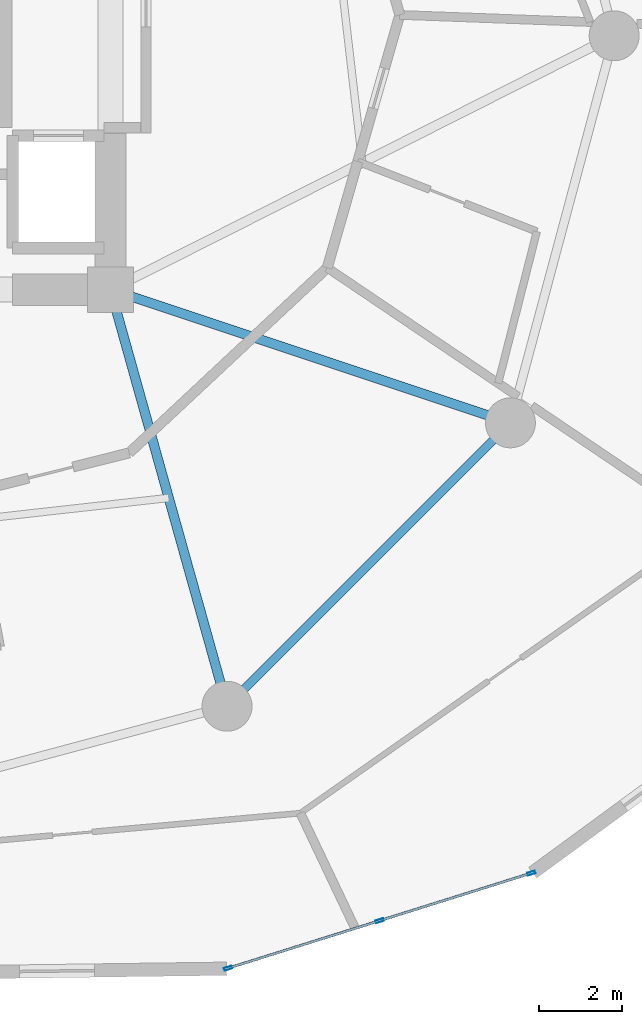
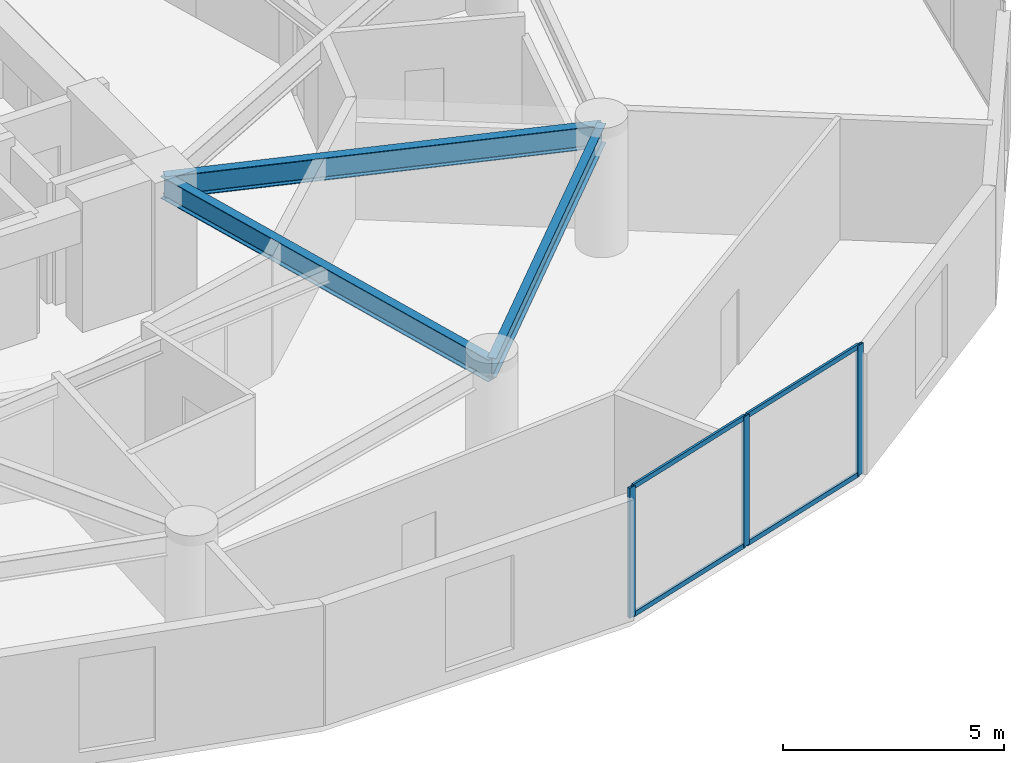
# One storey, part 6 of 22: 7 members, 3 beams, 1 element without a shape of its own.
"""IFC4 building model written with IfcOpenShell, lengths in metres."""

from ifc_helpers import new_model, si_unit, direction, frame, origin, origin_2d, place, context, subcontext, project, spatial, hollow_rectangle, i_section, extrude, source, transform, mapped, material, layer, layer_set, material_profile, profile_set, type_object, element, aggregate, save


model = new_model("IFC4")

# Units and contexts
model_context = context("Model", 3, precision=1e-05, world=origin(), true_north=direction((0.0, 1.0)))
body_context = subcontext(model_context, "Body", "Model", "MODEL_VIEW")
ifc_project = project(units=[si_unit("LENGTHUNIT", "METRE"), si_unit("AREAUNIT", "SQUARE_METRE"), si_unit("VOLUMEUNIT", "CUBIC_METRE"), si_unit("PLANEANGLEUNIT", "RADIAN"), si_unit("MASSUNIT", "GRAM", prefix="KILO")], contexts=[model_context])

# Site, building, storey
site_placement = place(None, origin())
site = spatial("IfcSite", under=ifc_project, at=site_placement, CompositionType="ELEMENT")
building_placement = place(site_placement, origin())
building = spatial("IfcBuilding", under=site, at=building_placement, Name="Solvirekh Grand Hotel", CompositionType="ELEMENT")
storey_placement = place(building_placement, frame((0.0, 0.0, 78.800048828125)))
storey = spatial("IfcBuildingStorey", under=building, at=storey_placement, Name="L19", CompositionType="ELEMENT", Elevation=78.800048828125)

# Beams
ifc_material_1 = material(Name="Steel S355", Category="steel")
ifc_material_profile_1 = material_profile(ifc_material_1, i_section(OverallWidth=0.22802734375, OverallDepth=0.616943359375, WebThickness=0.012939453125, FlangeThickness=0.02001953125, FilletRadius=0.014892578125, at=origin_2d()), Name="W610X140")
ifc_profile_set_1 = profile_set([ifc_material_profile_1], Name="Steel S355")
beam_type_1 = type_object("IfcBeamType", Name="Beam_Radial_W610", PredefinedType="BEAM", material=ifc_profile_set_1)
beam_1_placement = place(storey_placement, frame((6.5, -6.10009765625, 3.031982421875), z_axis=(0.269439084681, -0.963017434757, 0.0), x_axis=(0.963017434757, 0.269439084681, 0.0)))
element("IfcBeam", 1, at=beam_1_placement, inside=storey, type_object=beam_type_1, Name="L19 radial floor beam R11", PredefinedType="BEAM", context=body_context, shape_type="SweptSolid", body=[
    extrude(i_section(OverallWidth=0.22802734375, OverallDepth=0.616943359375, WebThickness=0.012939453125, FlangeThickness=0.02001953125, FilletRadius=0.014892578125, at=origin_2d()), origin(), (0.0, 0.0, 1.0), 10.39208984375),
])
beam_2_placement = place(storey_placement, frame((6.5, -6.10009765625, 3.031982421875), z_axis=(0.948762825819, -0.315989082635, 0.0), x_axis=(0.315989082635, 0.948762825819, 0.0)))
element("IfcBeam", 2, at=beam_2_placement, inside=storey, type_object=beam_type_1, Name="L19 radial floor beam R12", PredefinedType="BEAM", context=body_context, shape_type="SweptSolid", body=[
    extrude(i_section(OverallWidth=0.22802734375, OverallDepth=0.616943359375, WebThickness=0.012939453125, FlangeThickness=0.02001953125, FilletRadius=0.014892578125, at=origin_2d()), origin(), (0.0, 0.0, 1.0), 10.126708984375),
])
ifc_material_profile_2 = material_profile(ifc_material_1, i_section(OverallWidth=0.208984375, OverallDepth=0.532958984375, WebThickness=0.010009765625, FlangeThickness=0.014892578125, FilletRadius=0.013916015625, at=origin_2d()), Name="W530X92")
ifc_profile_set_2 = profile_set([ifc_material_profile_2], Name="Steel S355")
beam_type_2 = type_object("IfcBeamType", Name="Spandrel_Ring_W530", PredefinedType="SPANDREL", material=ifc_profile_set_2)
beam_3_placement = place(storey_placement, frame((9.300048828125, -16.10791015625, 3.073974609375), z_axis=(0.707106781187, 0.707106781187, 0.0), x_axis=(-0.707106781187, 0.707106781187, 0.0)))
element("IfcBeam", 3, at=beam_3_placement, inside=storey, type_object=beam_type_2, Name="L19 perimeter spandrel beam 11", PredefinedType="SPANDREL", context=body_context, shape_type="SweptSolid", body=[
    extrude(i_section(OverallWidth=0.208984375, OverallDepth=0.532958984375, WebThickness=0.010009765625, FlangeThickness=0.014892578125, FilletRadius=0.013916015625, at=origin_2d()), origin(), (0.0, 0.0, 1.0), 9.627685546875),
])

# Curtain wall, members
ifc_material_2 = material(Name="Anodized Bronze Aluminium 6063-T6", Category="aluminium")
ifc_layer = layer(ifc_material_2, 0.18994140625)
ifc_layer_set = layer_set([ifc_layer], Name="Anodized Bronze Aluminium 6063-T6")
curtain_wall_type = type_object("IfcCurtainWallType", Name="CW_Sys2_LowZoneFlushBronzeCW", PredefinedType="NOTDEFINED", material=ifc_layer_set)
curtain_wall_placement = place(storey_placement, origin())
curtain_wall = element("IfcCurtainWall", 4, at=curtain_wall_placement, inside=storey, type_object=curtain_wall_type, Name="L19 unitised bronze-glass curtain wall CW-L19-C18", PredefinedType="NOTDEFINED")
ifc_material_profile_3 = material_profile(ifc_material_2, hollow_rectangle(XDim=0.06005859375, YDim=0.135009765625, WallThickness=0.00390625, at=origin_2d()), Name="ALU RHS 135X60X4")
ifc_profile_set_3 = profile_set([ifc_material_profile_3], Name="Anodized Bronze Aluminium 6063-T6")
member_type_1 = type_object("IfcMemberType", Name="CWTransom_Sys2", PredefinedType="USERDEFINED", material=ifc_profile_set_3)
shared_shape_1 = source(origin(), body_context, "Body", "SweptSolid", [
    extrude(hollow_rectangle(XDim=0.06005859375, YDim=0.135009765625, WallThickness=0.00390625, at=origin_2d()), origin(), (0.0, 0.0, 1.0), 3.74755859375),
])
member_1_placement = place(storey_placement, frame((9.35791015625, -22.39306640625, 0.030029296875), z_axis=(0.954161809981, 0.299291230032, 0.0), x_axis=(-0.299291230032, 0.954161809981, 0.0)))
member_1 = element("IfcMember", 5, at=member_1_placement, type_object=member_type_1, Name="U02 transom 1.1", ObjectType="TRANSOM", PredefinedType="USERDEFINED", context=body_context, shape_type="MappedRepresentation", body=[
    mapped(shared_shape_1, transform((0.0, 0.0, 0.0), x_axis=(1.0, 0.0, 0.0), y_axis=(0.0, 1.0, 0.0), z_axis=(0.0, 0.0, 1.0), scale=1.0)),
])
member_2_placement = place(storey_placement, frame((9.35791015625, -22.39306640625, 3.570068359375), z_axis=(0.954161809981, 0.299291230032, 0.0), x_axis=(-0.299291230032, 0.954161809981, 0.0)))
member_2 = element("IfcMember", 6, at=member_2_placement, type_object=member_type_1, Name="U02 transom 1.2", ObjectType="TRANSOM", PredefinedType="USERDEFINED", context=body_context, shape_type="MappedRepresentation", body=[
    mapped(shared_shape_1, transform((0.0, 0.0, 0.0), x_axis=(1.0, 0.0, 0.0), y_axis=(0.0, 1.0, 0.0), z_axis=(0.0, 0.0, 1.0), scale=1.0)),
])
member_3_placement = place(storey_placement, frame((13.00048828125, -21.25048828125, 0.030029296875), z_axis=(0.954161809981, 0.299291230032, 0.0), x_axis=(-0.299291230032, 0.954161809981, 0.0)))
member_3 = element("IfcMember", 7, at=member_3_placement, type_object=member_type_1, Name="U02 transom 2.1", ObjectType="TRANSOM", PredefinedType="USERDEFINED", context=body_context, shape_type="MappedRepresentation", body=[
    mapped(shared_shape_1, transform((0.0, 0.0, 0.0), x_axis=(1.0, 0.0, 0.0), y_axis=(0.0, 1.0, 0.0), z_axis=(0.0, 0.0, 1.0), scale=1.0)),
])
member_4_placement = place(storey_placement, frame((13.00048828125, -21.25048828125, 3.570068359375), z_axis=(0.954161809981, 0.299291230032, 0.0), x_axis=(-0.299291230032, 0.954161809981, 0.0)))
member_4 = element("IfcMember", 8, at=member_4_placement, type_object=member_type_1, Name="U02 transom 2.2", ObjectType="TRANSOM", PredefinedType="USERDEFINED", context=body_context, shape_type="MappedRepresentation", body=[
    mapped(shared_shape_1, transform((0.0, 0.0, 0.0), x_axis=(1.0, 0.0, 0.0), y_axis=(0.0, 1.0, 0.0), z_axis=(0.0, 0.0, 1.0), scale=1.0)),
])
ifc_material_profile_4 = material_profile(ifc_material_2, hollow_rectangle(XDim=0.070068359375, YDim=0.18994140625, WallThickness=0.0048828125, at=origin_2d()), Name="ALU RHS 190X70X5")
ifc_profile_set_4 = profile_set([ifc_material_profile_4], Name="Anodized Bronze Aluminium 6063-T6")
member_type_2 = type_object("IfcMemberType", Name="CWMullion_Sys2", PredefinedType="MULLION", material=ifc_profile_set_4)
shared_shape_2 = source(origin(), body_context, "Body", "SweptSolid", [
    extrude(hollow_rectangle(XDim=0.070068359375, YDim=0.18994140625, WallThickness=0.0048828125, at=origin_2d()), origin(), (0.0, 0.0, 1.0), 3.599853515625),
])
member_5_placement = place(storey_placement, frame((9.324462890625, -22.403564453125, 0.0), z_axis=(0.0, 0.0, 1.0), x_axis=(-0.299279838596, 0.95416538305, 0.0)))
member_5 = element("IfcMember", 9, at=member_5_placement, type_object=member_type_2, Name="U02 mullion 1", PredefinedType="MULLION", context=body_context, shape_type="MappedRepresentation", body=[
    mapped(shared_shape_2, transform((0.0, 0.0, 0.0), x_axis=(1.0, 0.0, 0.0), y_axis=(0.0, 1.0, 0.0), z_axis=(0.0, 0.0, 1.0), scale=1.0)),
])
member_6_placement = place(storey_placement, frame((12.967041015625, -21.260986328125, 0.0), z_axis=(0.0, 0.0, 1.0), x_axis=(-0.299279838596, 0.95416538305, 0.0)))
member_6 = element("IfcMember", 10, at=member_6_placement, type_object=member_type_2, Name="U02 mullion 2", PredefinedType="MULLION", context=body_context, shape_type="MappedRepresentation", body=[
    mapped(shared_shape_2, transform((0.0, 0.0, 0.0), x_axis=(1.0, 0.0, 0.0), y_axis=(0.0, 1.0, 0.0), z_axis=(0.0, 0.0, 1.0), scale=1.0)),
])
member_7_placement = place(storey_placement, frame((16.609619140625, -20.118408203125, 0.0), z_axis=(0.0, 0.0, 1.0), x_axis=(-0.299279838596, 0.95416538305, 0.0)))
member_7 = element("IfcMember", 11, at=member_7_placement, type_object=member_type_2, Name="U02 mullion 3", PredefinedType="MULLION", context=body_context, shape_type="MappedRepresentation", body=[
    mapped(shared_shape_2, transform((0.0, 0.0, 0.0), x_axis=(1.0, 0.0, 0.0), y_axis=(0.0, 1.0, 0.0), z_axis=(0.0, 0.0, 1.0), scale=1.0)),
])
aggregate(curtain_wall, [member_5, member_6, member_7, member_1, member_2, member_3, member_4])

save(model, "model.ifc")
